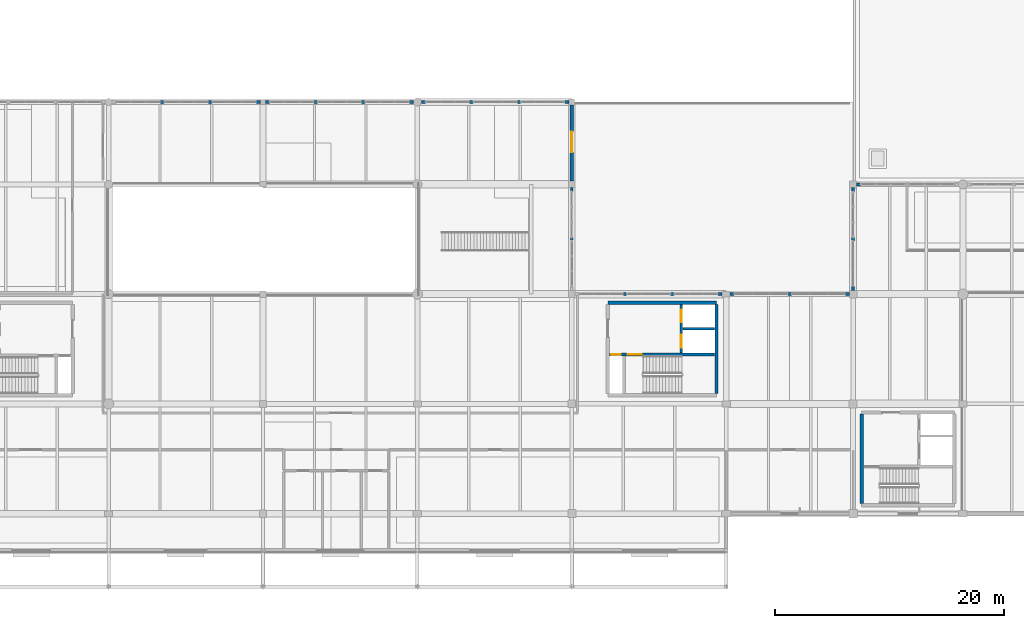
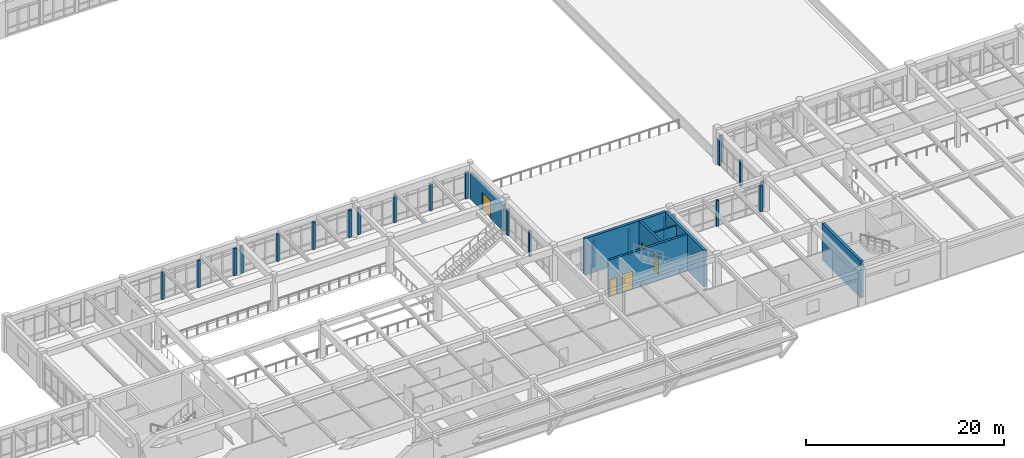
# One storey, part 91 of 109: 30 walls, 5 doors, 5 openings.
"""IFC4 building model written with IfcOpenShell, lengths in metres."""

from ifc_helpers import new_model, si_unit, direction, frame, frame_2d, origin, place, context, subcontext, project, spatial, rectangle, extrude, material, layer, layer_set, type_object, element, fill, save


model = new_model("IFC4")

# Units and contexts
model_context = context("Model", 3, precision=1e-05, world=origin(), true_north=direction((0.0, 1.0)))
body_context = subcontext(model_context, "Body", "Model", "MODEL_VIEW")
ifc_project = project(units=[si_unit("LENGTHUNIT", "METRE"), si_unit("AREAUNIT", "SQUARE_METRE"), si_unit("VOLUMEUNIT", "CUBIC_METRE"), si_unit("PLANEANGLEUNIT", "RADIAN"), si_unit("MASSUNIT", "GRAM", prefix="KILO")], contexts=[model_context])

# Site, building, storey
site_placement = place(None, origin())
site = spatial("IfcSite", under=ifc_project, at=site_placement, CompositionType="ELEMENT")
building_placement = place(site_placement, origin())
building = spatial("IfcBuilding", under=site, at=building_placement, Name="Fikremerkos Civic Library", CompositionType="ELEMENT")
storey_placement = place(building_placement, frame((0.0, 0.0, 5.39990234375)))
storey = spatial("IfcBuildingStorey", under=building, at=storey_placement, Name="L01", CompositionType="ELEMENT", Elevation=5.39990234375)

# Walls
ifc_material_1 = material(Name="Concrete C40/50", Category="concrete")
ifc_layer_1 = layer(ifc_material_1, 0.300048828125, Name="Concrete C40/50")
ifc_layer_set_1 = layer_set([ifc_layer_1], Name="Concrete C40/50")
wall_type_1 = type_object("IfcWallType", Name="Core shear wall CSW-01 300", PredefinedType="SHEAR", material=ifc_layer_set_1)
wall_1_placement = place(storey_placement, frame((103.35009765625, 30.449951171875, 0.0), z_axis=(0.0, 0.0, 1.0), x_axis=(1.0, 0.0, 0.0)))
element("IfcWall", 1, at=wall_1_placement, inside=storey, type_object=wall_type_1, Name="Core K2 north shear wall L01", PredefinedType="SHEAR", context=body_context, shape_type="SweptSolid", body=[
    extrude(rectangle(XDim=9.5, YDim=0.300048828125, at=frame_2d((4.75, 0.0))), origin(), (0.0, 0.0, 1.0), 4.5),
])
wall_2_placement = place(storey_placement, frame((112.85009765625, 30.298095703125, 0.0), z_axis=(0.0, 0.0, 1.0), x_axis=(0.0, -1.0, 0.0)))
element("IfcWall", 2, at=wall_2_placement, inside=storey, type_object=wall_type_1, Name="Core K2 east shear wall L01", PredefinedType="SHEAR", context=body_context, shape_type="SweptSolid", body=[
    extrude(rectangle(XDim=7.796142578125, YDim=0.300048828125, at=frame_2d((3.89794921875, 0.0))), origin(), (0.0, 0.0, 1.0), 4.5),
])
wall_3_placement = place(storey_placement, frame((125.550048828125, 12.902099609375, 0.0), z_axis=(0.0, 0.0, 1.0), x_axis=(0.0, 1.0, 0.0)))
element("IfcWall", 3, at=wall_3_placement, inside=storey, type_object=wall_type_1, Name="Core K4 west shear wall L01", PredefinedType="SHEAR", context=body_context, shape_type="SweptSolid", body=[
    extrude(rectangle(XDim=7.7958984375, YDim=0.300048828125, at=frame_2d((3.89794921875, 0.0))), origin(), (0.0, 0.0, 1.0), 4.5),
])

# Wall, openings, doors
ifc_layer_2 = layer(ifc_material_1, 0.260009765625, Name="Concrete C40/50")
ifc_layer_set_2 = layer_set([ifc_layer_2], Name="Concrete C40/50")
wall_type_2 = type_object("IfcWallType", Name="Core shear wall CSW-02 260", PredefinedType="SHEAR", material=ifc_layer_set_2)
wall_4_placement = place(storey_placement, frame((103.501953125, 25.929931640625, 0.0), z_axis=(0.0, 0.0, 1.0), x_axis=(1.0, 0.0, 0.0)))
wall_4 = element("IfcWall", 4, at=wall_4_placement, inside=storey, type_object=wall_type_2, Name="Core K2 stair compartment wall L01", PredefinedType="SHEAR", context=body_context, shape_type="SweptSolid", body=[
    extrude(rectangle(XDim=9.196044921875, YDim=0.260009765625, at=frame_2d((4.59814453125, 0.0))), origin(), (0.0, 0.0, 1.0), 4.5),
])
opening_1_placement = place(wall_4_placement, frame((1.597900390625, 0.0, 0.0)))
opening_1 = element("IfcOpeningElement", 5, at=opening_1_placement, cuts=wall_4, Name="Opening D063", PredefinedType="OPENING", context=body_context, shape_type="SweptSolid", body=[
    extrude(rectangle(XDim=1.199951171875, YDim=2.199951171875, at=frame_2d((0.60009765625, 1.10009765625))), frame((0.0, 0.139892578125, 0.0), z_axis=(0.0, -1.0, 0.0), x_axis=(1.0, 0.0, 0.0)), (0.0, 0.0, 1.0), 0.280029296875),
])
opening_2_placement = place(wall_4_placement, frame((0.14306640625, 0.0, 0.0)))
opening_2 = element("IfcOpeningElement", 6, at=opening_2_placement, cuts=wall_4, Name="Opening D064", PredefinedType="OPENING", context=body_context, shape_type="SweptSolid", body=[
    extrude(rectangle(XDim=0.85009765625, YDim=2.050048828125, at=frame_2d((0.425048828125, 1.02490234375))), frame((0.0, 0.139892578125, 0.0), z_axis=(0.0, -1.0, 0.0), x_axis=(1.0, 0.0, 0.0)), (0.0, 0.0, 1.0), 0.280029296875),
])
ifc_material_2 = material(Name="Hardwood timber and acoustic glass", Category="wood")
door_type_1 = type_object("IfcDoorType", Name="Pedestrian door DT-06 1200x2200", OperationType="NOTDEFINED", PredefinedType="DOOR", material=ifc_material_2)
door_1_placement = place(opening_1_placement, origin())
door_1 = element("IfcDoor", 7, at=door_1_placement, inside=storey, type_object=door_type_1, Name="Core K2 stair fire door D063 L01", OperationType="SINGLE_SWING_LEFT", OverallHeight=2.199951171875, OverallWidth=1.199951171875, PredefinedType="DOOR", context=body_context, shape_type="SweptSolid", body=[
    extrude(rectangle(XDim=1.199951171875, YDim=2.199951171875, at=frame_2d((0.60009765625, 1.10009765625))), frame((0.0, 0.032470703125, 0.0), z_axis=(0.0, -1.0, 0.0), x_axis=(1.0, 0.0, 0.0)), (0.0, 0.0, 1.0), 0.06494140625),
])
fill(opening_1, door_1)
door_type_2 = type_object("IfcDoorType", Name="Pedestrian door DT-08 850x2050", OperationType="NOTDEFINED", PredefinedType="DOOR", material=ifc_material_2)
door_2_placement = place(opening_2_placement, origin())
door_2 = element("IfcDoor", 8, at=door_2_placement, inside=storey, type_object=door_type_2, Name="Core K2 riser access fire door D064 L01", OperationType="SINGLE_SWING_LEFT", OverallHeight=2.050048828125, OverallWidth=0.85009765625, PredefinedType="DOOR", context=body_context, shape_type="SweptSolid", body=[
    extrude(rectangle(XDim=0.85009765625, YDim=2.050048828125, at=frame_2d((0.425048828125, 1.02490234375))), frame((0.0, 0.032470703125, 0.0), z_axis=(0.0, -1.0, 0.0), x_axis=(1.0, 0.0, 0.0)), (0.0, 0.0, 1.0), 0.06494140625),
])
fill(opening_2, door_2)

wall_5_placement = place(storey_placement, frame((109.77001953125, 26.06201171875, 0.0), z_axis=(0.0, 0.0, 1.0), x_axis=(0.0, 1.0, 0.0)))
wall_5 = element("IfcWall", 9, at=wall_5_placement, inside=storey, type_object=wall_type_2, Name="Core K2 lift shaft front wall L01", PredefinedType="SHEAR", context=body_context, shape_type="SweptSolid", body=[
    extrude(rectangle(XDim=4.236083984375, YDim=0.260009765625, at=frame_2d((2.1181640625, 0.0))), origin(), (0.0, 0.0, 1.0), 4.5),
])
opening_3_placement = place(wall_5_placement, frame((0.468017578125, 0.0, 0.0)))
opening_3 = element("IfcOpeningElement", 10, at=opening_3_placement, cuts=wall_5, Name="Opening LD23", PredefinedType="OPENING", context=body_context, shape_type="SweptSolid", body=[
    extrude(rectangle(XDim=1.10009765625, YDim=2.14990234375, at=frame_2d((0.550048828125, 1.074951171875))), frame((0.0, 0.139892578125, 0.0), z_axis=(0.0, -1.0, 0.0), x_axis=(1.0, 0.0, 0.0)), (0.0, 0.0, 1.0), 0.280029296875),
])
opening_4_placement = place(wall_5_placement, frame((2.66796875, 0.0, 0.0)))
opening_4 = element("IfcOpeningElement", 11, at=opening_4_placement, cuts=wall_5, Name="Opening LD24", PredefinedType="OPENING", context=body_context, shape_type="SweptSolid", body=[
    extrude(rectangle(XDim=1.10009765625, YDim=2.14990234375, at=frame_2d((0.550048828125, 1.074951171875))), frame((0.0, 0.139892578125, 0.0), z_axis=(0.0, -1.0, 0.0), x_axis=(1.0, 0.0, 0.0)), (0.0, 0.0, 1.0), 0.280029296875),
])
ifc_material_3 = material(Name="Brushed stainless steel", Category="steel")
door_type_3 = type_object("IfcDoorType", Name="Lift landing door LDT-01 1100x2150", OperationType="NOTDEFINED", PredefinedType="DOOR", material=ifc_material_3)
door_3_placement = place(opening_3_placement, origin())
door_3 = element("IfcDoor", 12, at=door_3_placement, inside=storey, type_object=door_type_3, Name="Lift LF03 sliding landing door LD23 L01", OperationType="SLIDING_TO_LEFT", OverallHeight=2.14990234375, OverallWidth=1.10009765625, PredefinedType="DOOR", context=body_context, shape_type="SweptSolid", body=[
    extrude(rectangle(XDim=1.10009765625, YDim=2.14990234375, at=frame_2d((0.550048828125, 1.074951171875))), frame((0.0, 0.032470703125, 0.0), z_axis=(0.0, -1.0, 0.0), x_axis=(1.0, 0.0, 0.0)), (0.0, 0.0, 1.0), 0.06494140625),
])
fill(opening_3, door_3)
door_4_placement = place(opening_4_placement, origin())
door_4 = element("IfcDoor", 13, at=door_4_placement, inside=storey, type_object=door_type_3, Name="Lift LF04 sliding landing door LD24 L01", OperationType="SLIDING_TO_LEFT", OverallHeight=2.14990234375, OverallWidth=1.10009765625, PredefinedType="DOOR", context=body_context, shape_type="SweptSolid", body=[
    extrude(rectangle(XDim=1.10009765625, YDim=2.14990234375, at=frame_2d((0.550048828125, 1.074951171875))), frame((0.0, 0.032470703125, 0.0), z_axis=(0.0, -1.0, 0.0), x_axis=(1.0, 0.0, 0.0)), (0.0, 0.0, 1.0), 0.06494140625),
])
fill(opening_4, door_4)

# Wall, opening, door
ifc_material_4 = material(Name="Precast concrete C40/50", Category="concrete")
ifc_layer_3 = layer(ifc_material_4, 0.300048828125, Name="Precast concrete C40/50")
ifc_layer_set_3 = layer_set([ifc_layer_3], Name="Precast concrete C40/50")
wall_type_3 = type_object("IfcWallType", Name="Exterior solid wall ESW-03 300", PredefinedType="SOLIDWALL", material=ifc_layer_set_3)
wall_6_placement = place(storey_placement, frame((100.199951171875, 47.751953125, 0.0), z_axis=(0.0, 0.0, 1.0), x_axis=(0.0, -1.0, 0.0)))
wall_6 = element("IfcWall", 14, at=wall_6_placement, inside=storey, type_object=wall_type_3, Name="Terrace threshold wall ESW-03 L01 #371", PredefinedType="SOLIDWALL", context=body_context, shape_type="SweptSolid", body=[
    extrude(rectangle(XDim=6.678955078125, YDim=0.300048828125, at=frame_2d((3.33935546875, 0.0))), origin(), (0.0, 0.0, 1.0), 3.210205078125),
])
opening_5_placement = place(wall_6_placement, frame((2.35205078125, 0.0, 0.0)))
opening_5 = element("IfcOpeningElement", 15, at=opening_5_placement, cuts=wall_6, Name="Opening D023", PredefinedType="OPENING", context=body_context, shape_type="SweptSolid", body=[
    extrude(rectangle(XDim=1.800048828125, YDim=2.25, at=frame_2d((0.89990234375, 1.125))), frame((0.0, 0.159912109375, 0.0), z_axis=(0.0, -1.0, 0.0), x_axis=(1.0, 0.0, 0.0)), (0.0, 0.0, 1.0), 0.320068359375),
])
ifc_material_5 = material(Name="Thermally broken bronze aluminium and glass", Category="aluminium")
door_type_4 = type_object("IfcDoorType", Name="Pedestrian door DT-12 1800x2250", OperationType="NOTDEFINED", PredefinedType="DOOR", material=ifc_material_5)
door_5_placement = place(opening_5_placement, origin())
door_5 = element("IfcDoor", 16, at=door_5_placement, inside=storey, type_object=door_type_4, Name="Reading terrace access door D023 L01", OperationType="SINGLE_SWING_LEFT", OverallHeight=2.25, OverallWidth=1.800048828125, PredefinedType="DOOR", context=body_context, shape_type="SweptSolid", body=[
    extrude(rectangle(XDim=1.800048828125, YDim=2.25, at=frame_2d((0.89990234375, 1.125))), frame((0.0, 0.032470703125, 0.0), z_axis=(0.0, -1.0, 0.0), x_axis=(1.0, 0.0, 0.0)), (0.0, 0.0, 1.0), 0.06494140625),
])
fill(opening_5, door_5)

# Walls
ifc_layer_4 = layer(ifc_material_4, 0.25, Name="Precast concrete C40/50")
ifc_layer_set_4 = layer_set([ifc_layer_4], Name="Precast concrete C40/50")
wall_type_4 = type_object("IfcWallType", Name="Exterior solid wall ESW-05 250", PredefinedType="SOLIDWALL", material=ifc_layer_set_4)
wall_7_placement = place(storey_placement, frame((72.626953125, 48.0, 0.0), z_axis=(0.0, 0.0, 1.0), x_axis=(1.0, 0.0, 0.0)))
element("IfcWall", 17, at=wall_7_placement, inside=storey, type_object=wall_type_4, Name="Exterior facade pier ESW-05 #360", PredefinedType="SOLIDWALL", context=body_context, shape_type="SweptSolid", body=[
    extrude(rectangle(XDim=0.35009765625, YDim=0.25, at=frame_2d((0.175048828125, 0.0))), origin(), (0.0, 0.0, 1.0), 3.360107421875),
])
wall_8_placement = place(storey_placement, frame((64.240966796875, 48.0, 0.0), z_axis=(0.0, 0.0, 1.0), x_axis=(1.0, 0.0, 0.0)))
element("IfcWall", 18, at=wall_8_placement, inside=storey, type_object=wall_type_4, Name="Exterior facade mullion pier ESW-05 #361", PredefinedType="SOLIDWALL", context=body_context, shape_type="SweptSolid", body=[
    extrude(rectangle(XDim=0.300048828125, YDim=0.25, at=frame_2d((0.14990234375, 0.0))), origin(), (0.0, 0.0, 1.0), 3.360107421875),
])
wall_9_placement = place(storey_placement, frame((68.43408203125, 48.0, 0.0), z_axis=(0.0, 0.0, 1.0), x_axis=(1.0, 0.0, 0.0)))
element("IfcWall", 19, at=wall_9_placement, inside=storey, type_object=wall_type_4, Name="Exterior facade mullion pier ESW-05 #362", PredefinedType="SOLIDWALL", context=body_context, shape_type="SweptSolid", body=[
    extrude(rectangle(XDim=0.2998046875, YDim=0.25, at=frame_2d((0.14990234375, 0.0))), origin(), (0.0, 0.0, 1.0), 3.360107421875),
])
wall_10_placement = place(storey_placement, frame((73.423095703125, 48.0, 0.0), z_axis=(0.0, 0.0, 1.0), x_axis=(1.0, 0.0, 0.0)))
element("IfcWall", 20, at=wall_10_placement, inside=storey, type_object=wall_type_4, Name="Exterior facade pier ESW-05 #363", PredefinedType="SOLIDWALL", context=body_context, shape_type="SweptSolid", body=[
    extrude(rectangle(XDim=0.349853515625, YDim=0.25, at=frame_2d((0.1748046875, 0.0))), origin(), (0.0, 0.0, 1.0), 3.360107421875),
])
wall_11_placement = place(storey_placement, frame((86.001953125, 48.0, 0.0), z_axis=(0.0, 0.0, 1.0), x_axis=(1.0, 0.0, 0.0)))
element("IfcWall", 21, at=wall_11_placement, inside=storey, type_object=wall_type_4, Name="Exterior facade pier ESW-05 #364", PredefinedType="SOLIDWALL", context=body_context, shape_type="SweptSolid", body=[
    extrude(rectangle(XDim=0.35009765625, YDim=0.25, at=frame_2d((0.175048828125, 0.0))), origin(), (0.0, 0.0, 1.0), 3.360107421875),
])
wall_12_placement = place(storey_placement, frame((77.6494140625, 48.0, 0.0), z_axis=(0.0, 0.0, 1.0), x_axis=(1.0, 0.0, 0.0)))
element("IfcWall", 22, at=wall_12_placement, inside=storey, type_object=wall_type_4, Name="Exterior facade mullion pier ESW-05 #365", PredefinedType="SOLIDWALL", context=body_context, shape_type="SweptSolid", body=[
    extrude(rectangle(XDim=0.2998046875, YDim=0.25, at=frame_2d((0.14990234375, 0.0))), origin(), (0.0, 0.0, 1.0), 3.360107421875),
])
wall_13_placement = place(storey_placement, frame((81.82568359375, 48.0, 0.0), z_axis=(0.0, 0.0, 1.0), x_axis=(1.0, 0.0, 0.0)))
element("IfcWall", 23, at=wall_13_placement, inside=storey, type_object=wall_type_4, Name="Exterior facade mullion pier ESW-05 #366", PredefinedType="SOLIDWALL", context=body_context, shape_type="SweptSolid", body=[
    extrude(rectangle(XDim=0.300048828125, YDim=0.25, at=frame_2d((0.14990234375, 0.0))), origin(), (0.0, 0.0, 1.0), 3.360107421875),
])
for number, where, z_axis, x_axis, name in (
    (24, (87.048095703125, 48.0, 0.0), (0.0, 0.0, 1.0), (1.0, 0.0, 0.0), "Exterior facade pier ESW-05 #367"),
    (25, (99.60205078125, 48.0, 0.0), (0.0, 0.0, 1.0), (1.0, 0.0, 0.0), "Exterior facade pier ESW-05 #368"),
):
    element("IfcWall", number, at=place(storey_placement, frame(where, z_axis=z_axis, x_axis=x_axis)), inside=storey, type_object=wall_type_4, Name=name, PredefinedType="SOLIDWALL", context=body_context, shape_type="SweptSolid", body=[
        extrude(rectangle(XDim=0.349853515625, YDim=0.25, at=frame_2d((0.1748046875, 0.0))), origin(), (0.0, 0.0, 1.0), 3.31005859375),
    ])
for number, where, z_axis, x_axis, name in (
    (26, (91.26611328125, 48.0, 0.0), (0.0, 0.0, 1.0), (1.0, 0.0, 0.0), "Exterior facade mullion pier ESW-05 #369"),
    (27, (95.43408203125, 48.0, 0.0), (0.0, 0.0, 1.0), (1.0, 0.0, 0.0), "Exterior facade mullion pier ESW-05 #370"),
):
    element("IfcWall", number, at=place(storey_placement, frame(where, z_axis=z_axis, x_axis=x_axis)), inside=storey, type_object=wall_type_4, Name=name, PredefinedType="SOLIDWALL", context=body_context, shape_type="SweptSolid", body=[
        extrude(rectangle(XDim=0.2998046875, YDim=0.25, at=frame_2d((0.14990234375, 0.0))), origin(), (0.0, 0.0, 1.0), 3.31005859375),
    ])
wall_14_placement = place(storey_placement, frame((100.199951171875, 40.527099609375, 0.0), z_axis=(0.0, 0.0, 1.0), x_axis=(0.0, -1.0, 0.0)))
element("IfcWall", 28, at=wall_14_placement, inside=storey, type_object=wall_type_4, Name="Exterior facade pier ESW-05 #372", PredefinedType="SOLIDWALL", context=body_context, shape_type="SweptSolid", body=[
    extrude(rectangle(XDim=0.35009765625, YDim=0.25, at=frame_2d((0.175048828125, 0.0))), origin(), (0.0, 0.0, 1.0), 3.170166015625),
])
wall_15_placement = place(storey_placement, frame((100.199951171875, 36.16259765625, 0.0), z_axis=(0.0, 0.0, 1.0), x_axis=(0.0, -1.0, 0.0)))
element("IfcWall", 29, at=wall_15_placement, inside=storey, type_object=wall_type_4, Name="Exterior facade mullion pier ESW-05 #374", PredefinedType="SOLIDWALL", context=body_context, shape_type="SweptSolid", body=[
    extrude(rectangle(XDim=0.300048828125, YDim=0.25, at=frame_2d((0.14990234375, 0.0))), origin(), (0.0, 0.0, 1.0), 3.170166015625),
])
wall_16_placement = place(storey_placement, frame((113.001953125, 31.199951171875, 0.0), z_axis=(0.0, 0.0, 1.0), x_axis=(1.0, 0.0, 0.0)))
element("IfcWall", 30, at=wall_16_placement, inside=storey, type_object=wall_type_4, Name="Exterior facade pier ESW-05 #376", PredefinedType="SOLIDWALL", context=body_context, shape_type="SweptSolid", body=[
    extrude(rectangle(XDim=0.35009765625, YDim=0.25, at=frame_2d((0.175048828125, 0.0))), origin(), (0.0, 0.0, 1.0), 3.170166015625),
])
for number, where, z_axis, x_axis, name in (
    (31, (104.69921875, 31.199951171875, 0.0), (0.0, 0.0, 1.0), (1.0, 0.0, 0.0), "Exterior facade mullion pier ESW-05 #377"),
    (32, (108.8505859375, 31.199951171875, 0.0), (0.0, 0.0, 1.0), (1.0, 0.0, 0.0), "Exterior facade mullion pier ESW-05 #378"),
):
    element("IfcWall", number, at=place(storey_placement, frame(where, z_axis=z_axis, x_axis=x_axis)), inside=storey, type_object=wall_type_4, Name=name, PredefinedType="SOLIDWALL", context=body_context, shape_type="SweptSolid", body=[
        extrude(rectangle(XDim=0.300048828125, YDim=0.25, at=frame_2d((0.14990234375, 0.0))), origin(), (0.0, 0.0, 1.0), 3.170166015625),
    ])
wall_17_placement = place(storey_placement, frame((114.048095703125, 31.199951171875, 0.0), z_axis=(0.0, 0.0, 1.0), x_axis=(1.0, 0.0, 0.0)))
element("IfcWall", 33, at=wall_17_placement, inside=storey, type_object=wall_type_4, Name="Exterior facade pier ESW-05 #379", PredefinedType="SOLIDWALL", context=body_context, shape_type="SweptSolid", body=[
    extrude(rectangle(XDim=0.349853515625, YDim=0.25, at=frame_2d((0.1748046875, 0.0))), origin(), (0.0, 0.0, 1.0), 3.170166015625),
])
wall_18_placement = place(storey_placement, frame((124.126953125, 31.199951171875, 0.0), z_axis=(0.0, 0.0, 1.0), x_axis=(1.0, 0.0, 0.0)))
element("IfcWall", 34, at=wall_18_placement, inside=storey, type_object=wall_type_4, Name="Exterior facade pier ESW-05 #380", PredefinedType="SOLIDWALL", context=body_context, shape_type="SweptSolid", body=[
    extrude(rectangle(XDim=0.35009765625, YDim=0.25, at=frame_2d((0.175048828125, 0.0))), origin(), (0.0, 0.0, 1.0), 3.170166015625),
])
wall_19_placement = place(storey_placement, frame((119.112548828125, 31.199951171875, 0.0), z_axis=(0.0, 0.0, 1.0), x_axis=(1.0, 0.0, 0.0)))
element("IfcWall", 35, at=wall_19_placement, inside=storey, type_object=wall_type_4, Name="Exterior facade mullion pier ESW-05 #381", PredefinedType="SOLIDWALL", context=body_context, shape_type="SweptSolid", body=[
    extrude(rectangle(XDim=0.300048828125, YDim=0.25, at=frame_2d((0.14990234375, 0.0))), origin(), (0.0, 0.0, 1.0), 3.170166015625),
])
wall_20_placement = place(storey_placement, frame((124.800048828125, 31.52294921875, 0.0), z_axis=(0.0, 0.0, 1.0), x_axis=(0.0, 1.0, 0.0)))
element("IfcWall", 36, at=wall_20_placement, inside=storey, type_object=wall_type_4, Name="Exterior facade pier ESW-05 #382", PredefinedType="SOLIDWALL", context=body_context, shape_type="SweptSolid", body=[
    extrude(rectangle(XDim=0.35009765625, YDim=0.25, at=frame_2d((0.175048828125, 0.0))), origin(), (0.0, 0.0, 1.0), 3.260009765625),
])
wall_21_placement = place(storey_placement, frame((124.800048828125, 40.152099609375, 0.0), z_axis=(0.0, 0.0, 1.0), x_axis=(0.0, 1.0, 0.0)))
element("IfcWall", 37, at=wall_21_placement, inside=storey, type_object=wall_type_4, Name="Exterior facade pier ESW-05 #383", PredefinedType="SOLIDWALL", context=body_context, shape_type="SweptSolid", body=[
    extrude(rectangle(XDim=0.349853515625, YDim=0.25, at=frame_2d((0.1748046875, 0.0))), origin(), (0.0, 0.0, 1.0), 3.260009765625),
])
wall_22_placement = place(storey_placement, frame((124.800048828125, 35.862548828125, 0.0), z_axis=(0.0, 0.0, 1.0), x_axis=(0.0, 1.0, 0.0)))
element("IfcWall", 38, at=wall_22_placement, inside=storey, type_object=wall_type_4, Name="Exterior facade mullion pier ESW-05 #384", PredefinedType="SOLIDWALL", context=body_context, shape_type="SweptSolid", body=[
    extrude(rectangle(XDim=0.300048828125, YDim=0.25, at=frame_2d((0.14990234375, 0.0))), origin(), (0.0, 0.0, 1.0), 3.260009765625),
])
wall_23_placement = place(storey_placement, frame((125.097900390625, 40.800048828125, 0.0), z_axis=(0.0, 0.0, 1.0), x_axis=(1.0, 0.0, 0.0)))
element("IfcWall", 39, at=wall_23_placement, inside=storey, type_object=wall_type_4, Name="Exterior facade pier ESW-05 #385", PredefinedType="SOLIDWALL", context=body_context, shape_type="SweptSolid", body=[
    extrude(rectangle(XDim=0.35009765625, YDim=0.25, at=frame_2d((0.175048828125, 0.0))), origin(), (0.0, 0.0, 1.0), 3.260009765625),
])
ifc_material_6 = material(Name="Concrete C35/45", Category="concrete")
ifc_layer_5 = layer(ifc_material_6, 0.199951171875, Name="Concrete C35/45")
ifc_layer_set_5 = layer_set([ifc_layer_5], Name="Concrete C35/45")
wall_type_5 = type_object("IfcWallType", Name="Service duct wall SDW-01 200", PredefinedType="PLUMBINGWALL", material=ifc_layer_set_5)
wall_24_placement = place(storey_placement, frame((109.902099609375, 28.179931640625, 0.0), z_axis=(0.0, 0.0, 1.0), x_axis=(1.0, 0.0, 0.0)))
element("IfcWall", 40, at=wall_24_placement, inside=storey, type_object=wall_type_5, Name="Core K2 inter-lift shaft wall L01", PredefinedType="PLUMBINGWALL", context=body_context, shape_type="SweptSolid", body=[
    extrude(rectangle(XDim=2.7958984375, YDim=0.199951171875, at=frame_2d((1.39794921875, 0.0))), origin(), (0.0, 0.0, 1.0), 4.18017578125),
])

save(model, "model.ifc")
